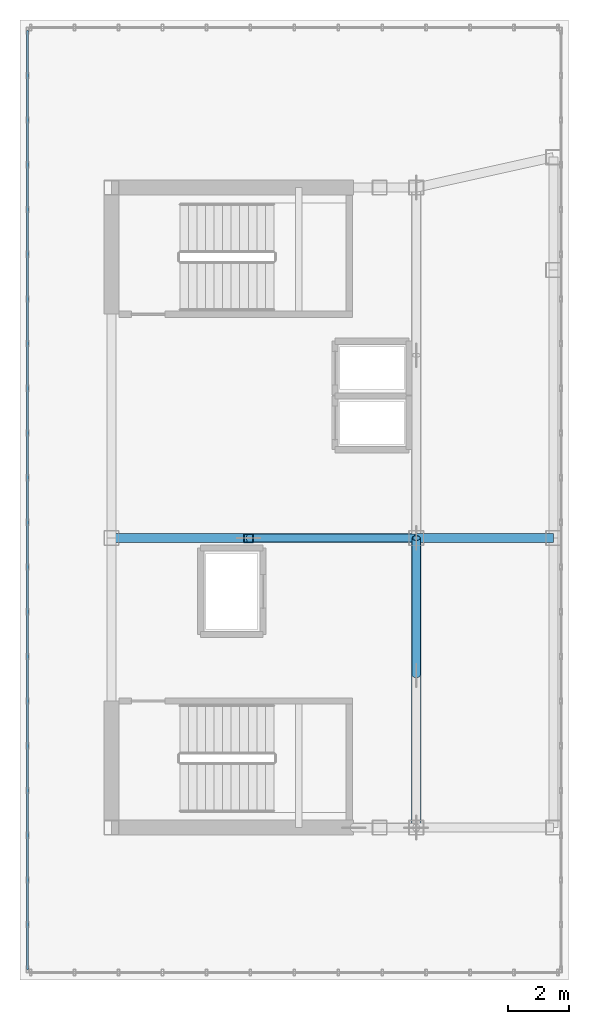
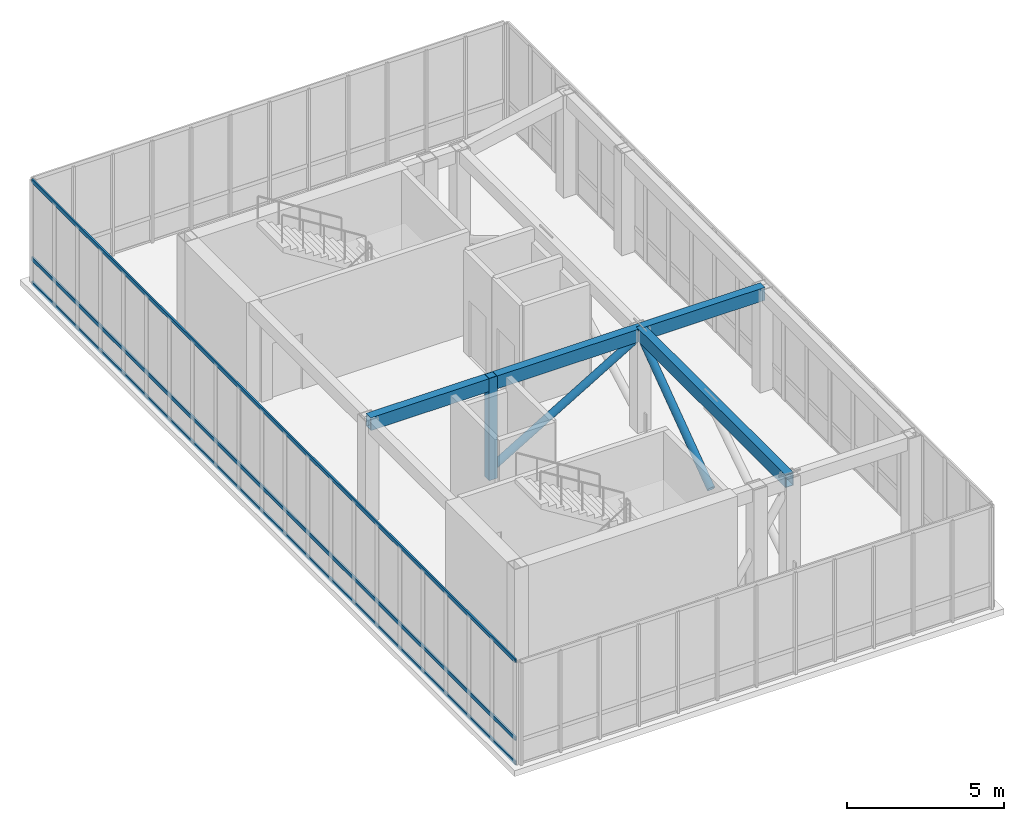
# One storey, part 5 of 13: 6 members, 3 beams, 1 element without a shape of its own.
"""IFC4 building model written with IfcOpenShell, lengths in metres."""

from ifc_helpers import new_model, si_unit, direction, frame, origin, origin_2d, place, context, subcontext, project, spatial, hollow_rectangle, hollow_circle, extrude, source, transform, mapped, material, layer, layer_set, material_profile, profile_set, type_object, element, aggregate, save


model = new_model("IFC4")

# Units and contexts
model_context = context("Model", 3, precision=1e-05, world=origin(), true_north=direction((0.0, 1.0)))
body_context = subcontext(model_context, "Body", "Model", "MODEL_VIEW")
ifc_project = project(units=[si_unit("LENGTHUNIT", "METRE"), si_unit("AREAUNIT", "SQUARE_METRE"), si_unit("VOLUMEUNIT", "CUBIC_METRE"), si_unit("PLANEANGLEUNIT", "RADIAN"), si_unit("MASSUNIT", "GRAM", prefix="KILO")], contexts=[model_context])

# Site, building, storey
site_placement = place(None, origin())
site = spatial("IfcSite", under=ifc_project, at=site_placement, CompositionType="ELEMENT")
building_placement = place(site_placement, origin())
building = spatial("IfcBuilding", under=site, at=building_placement, Name="Kharzan Plaza Tower", CompositionType="ELEMENT")
storey_placement = place(building_placement, frame((0.0, 0.0, 285.60009765625)))
storey = spatial("IfcBuildingStorey", under=building, at=storey_placement, Name="L77-CROWN", CompositionType="ELEMENT", Elevation=285.60009765625)

# Beams
ifc_material_1 = material(Name="Steel S355", Category="steel")
ifc_material_profile_1 = material_profile(ifc_material_1, hollow_rectangle(XDim=0.300048828125, YDim=0.5, WallThickness=0.02001953125, at=origin_2d()), Name="RHS500x300x20")
ifc_profile_set_1 = profile_set([ifc_material_profile_1], Name="Steel S355")
beam_type = type_object("IfcBeamType", Name="BM-CRN500", PredefinedType="BEAM", material=ifc_profile_set_1)
shared_shape_1 = source(origin(), body_context, "Body", "SweptSolid", [
    extrude(hollow_rectangle(XDim=0.300048828125, YDim=0.5, WallThickness=0.02001953125, at=origin_2d()), origin(), (0.0, 0.0, 1.0), 9.5),
])
beam_1_placement = place(storey_placement, frame((14.5, 8.5, 3.719970703125), z_axis=(0.0, 1.0, 0.0), x_axis=(-1.0, 0.0, 0.0)))
element("IfcBeam", 1, at=beam_1_placement, inside=storey, type_object=beam_type, Name="L77-CROWN CROWN FRAME Lantern Ring Beam CRB-M1", PredefinedType="BEAM", context=body_context, shape_type="MappedRepresentation", body=[
    mapped(shared_shape_1, transform((0.0, 0.0, 0.0), x_axis=(1.0, 0.0, 0.0), y_axis=(0.0, 1.0, 0.0), z_axis=(0.0, 0.0, 1.0))),
])
shared_shape_2 = source(origin(), body_context, "Body", "SweptSolid", [
    extrude(hollow_rectangle(XDim=0.300048828125, YDim=0.5, WallThickness=0.02001953125, at=origin_2d()), origin(), (0.0, 0.0, 1.0), 10.0),
])
beam_2_placement = place(storey_placement, frame((4.5, 18.0, 3.719970703125), z_axis=(1.0, 0.0, 0.0), x_axis=(0.0, 1.0, 0.0)))
element("IfcBeam", 2, at=beam_2_placement, inside=storey, type_object=beam_type, Name="L77-CROWN CROWN FRAME Lantern Ring Beam CRB-I1", PredefinedType="BEAM", context=body_context, shape_type="MappedRepresentation", body=[
    mapped(shared_shape_2, transform((0.0, 0.0, 0.0), x_axis=(1.0, 0.0, 0.0), y_axis=(0.0, 1.0, 0.0), z_axis=(0.0, 0.0, 1.0))),
])
shared_shape_3 = source(origin(), body_context, "Body", "SweptSolid", [
    extrude(hollow_rectangle(XDim=0.300048828125, YDim=0.5, WallThickness=0.02001953125, at=origin_2d()), origin(), (0.0, 0.0, 1.0), 4.5),
])
beam_3_placement = place(storey_placement, frame((14.5, 18.0, 3.719970703125), z_axis=(1.0, 0.0, 0.0), x_axis=(0.0, 1.0, 0.0)))
element("IfcBeam", 3, at=beam_3_placement, inside=storey, type_object=beam_type, Name="L77-CROWN CROWN FRAME Lantern Ring Beam CRB-I2", PredefinedType="BEAM", context=body_context, shape_type="MappedRepresentation", body=[
    mapped(shared_shape_3, transform((0.0, 0.0, 0.0), x_axis=(1.0, 0.0, 0.0), y_axis=(0.0, 1.0, 0.0), z_axis=(0.0, 0.0, 1.0))),
])

# Members
ifc_material_profile_2 = material_profile(ifc_material_1, hollow_circle(Radius=0.136474609375, WallThickness=0.010009765625, at=origin_2d()), Name="CHS273x10")
ifc_profile_set_2 = profile_set([ifc_material_profile_2], Name="Steel S355")
member_type_1 = type_object("IfcMemberType", Name="MEM-CRN-DIAG", PredefinedType="BRACE", material=ifc_profile_set_2)
shared_shape_4 = source(origin(), body_context, "Body", "SweptSolid", [
    extrude(hollow_circle(Radius=0.136474609375, WallThickness=0.010009765625, at=origin_2d()), origin(), (0.0, 0.0, 1.0), 6.398681640625),
])
member_1_placement = place(storey_placement, frame((9.0, 18.0, 0.349853515625), z_axis=(0.859553101499, 0.0, 0.511046441827), x_axis=(0.0, 1.0, 0.0)))
element("IfcMember", 4, at=member_1_placement, inside=storey, type_object=member_type_1, Name="L77-CROWN CROWN FRAME Diagonal Wind Brace CRD-W1", PredefinedType="BRACE", context=body_context, shape_type="MappedRepresentation", body=[
    mapped(shared_shape_4, transform((0.0, 0.0, 0.0), x_axis=(1.0, 0.0, 0.0), y_axis=(0.0, 1.0, 0.0), z_axis=(0.0, 0.0, 1.0))),
])
shared_shape_5 = source(origin(), body_context, "Body", "SweptSolid", [
    extrude(hollow_circle(Radius=0.136474609375, WallThickness=0.010009765625, at=origin_2d()), origin(), (0.0, 0.0, 1.0), 5.562744140625),
])
member_2_placement = place(storey_placement, frame((14.5, 13.5, 0.349853515625), z_axis=(0.0, 0.808967567345, 0.587853276748), x_axis=(-1.0, 0.0, 0.0)))
element("IfcMember", 5, at=member_2_placement, inside=storey, type_object=member_type_1, Name="L77-CROWN CROWN FRAME Diagonal Wind Brace CRD-S2", PredefinedType="BRACE", context=body_context, shape_type="MappedRepresentation", body=[
    mapped(shared_shape_5, transform((0.0, 0.0, 0.0), x_axis=(1.0, 0.0, 0.0), y_axis=(0.0, 1.0, 0.0), z_axis=(0.0, 0.0, 1.0))),
])
ifc_material_profile_3 = material_profile(ifc_material_1, hollow_rectangle(XDim=0.300048828125, YDim=0.300048828125, WallThickness=0.01611328125, at=origin_2d()), Name="SHS300x300x16")
ifc_profile_set_3 = profile_set([ifc_material_profile_3], Name="Steel S355")
member_type_2 = type_object("IfcMemberType", Name="MEM-CRN-POST", PredefinedType="POST", material=ifc_profile_set_3)
shared_shape_6 = source(origin(), body_context, "Body", "SweptSolid", [
    extrude(hollow_rectangle(XDim=0.300048828125, YDim=0.300048828125, WallThickness=0.01611328125, at=origin_2d()), origin(), (0.0, 0.0, 1.0), 3.969970703125),
])
member_3_placement = place(storey_placement, frame((9.0, 18.0, 0.0), z_axis=(0.0, 0.0, 1.0), x_axis=(1.0, 0.0, 0.0)))
element("IfcMember", 6, at=member_3_placement, inside=storey, type_object=member_type_2, Name="L77-CROWN CROWN FRAME Lantern Post 1", PredefinedType="POST", context=body_context, shape_type="MappedRepresentation", body=[
    mapped(shared_shape_6, transform((0.0, 0.0, 0.0), x_axis=(1.0, 0.0, 0.0), y_axis=(0.0, 1.0, 0.0), z_axis=(0.0, 0.0, 1.0))),
])

# Curtain wall, members
ifc_material_2 = material(Name="Unitised Bronze-Anodized Aluminium and Low-E Glass", Category="aluminium")
ifc_layer = layer(ifc_material_2, 0.199951171875)
ifc_layer_set = layer_set([ifc_layer], Name="Unitised Bronze-Anodized Aluminium and Low-E Glass")
curtain_wall_type = type_object("IfcCurtainWallType", Name="CW-LANTERN-6", PredefinedType="NOTDEFINED", material=ifc_layer_set)
curtain_wall_placement = place(storey_placement, origin())
curtain_wall = element("IfcCurtainWall", 7, at=curtain_wall_placement, inside=storey, type_object=curtain_wall_type, Name="L77-CROWN Lantern Crown Illuminated Curtain Wall 4", PredefinedType="NOTDEFINED")
ifc_material_3 = material(Name="Anodized Bronze Aluminium", Category="aluminium")
ifc_material_profile_4 = material_profile(ifc_material_3, hollow_rectangle(XDim=0.06005859375, YDim=0.14990234375, WallThickness=0.00341796875, at=origin_2d()), Name="ALU-T150x60x3.5")
ifc_profile_set_4 = profile_set([ifc_material_profile_4], Name="Anodized Bronze Aluminium")
member_type_3 = type_object("IfcMemberType", Name="MEM-CW-TRN150", PredefinedType="USERDEFINED", material=ifc_profile_set_4)
shared_shape_7 = source(origin(), body_context, "Body", "SweptSolid", [
    extrude(hollow_rectangle(XDim=0.06005859375, YDim=0.14990234375, WallThickness=0.00341796875, at=origin_2d()), origin(), (0.0, 0.0, 1.0), 30.7998046875),
])
member_4_placement = place(storey_placement, frame((1.75, 34.64990234375, 0.0), z_axis=(0.0, -1.0, 0.0), x_axis=(1.0, 0.0, 0.0)))
member_4 = element("IfcMember", 8, at=member_4_placement, type_object=member_type_3, Name="L77-CROWN Curtain-Wall Transom 1", ObjectType="TRANSOM", PredefinedType="USERDEFINED", context=body_context, shape_type="MappedRepresentation", body=[
    mapped(shared_shape_7, transform((0.0, 0.0, 0.0), x_axis=(1.0, 0.0, 0.0), y_axis=(0.0, 1.0, 0.0), z_axis=(0.0, 0.0, 1.0))),
])
member_5_placement = place(storey_placement, frame((1.75, 34.64990234375, 0.949951171875), z_axis=(0.0, -1.0, 0.0), x_axis=(1.0, 0.0, 0.0)))
member_5 = element("IfcMember", 9, at=member_5_placement, type_object=member_type_3, Name="L77-CROWN Curtain-Wall Transom 2", ObjectType="TRANSOM", PredefinedType="USERDEFINED", context=body_context, shape_type="MappedRepresentation", body=[
    mapped(shared_shape_7, transform((0.0, 0.0, 0.0), x_axis=(1.0, 0.0, 0.0), y_axis=(0.0, 1.0, 0.0), z_axis=(0.0, 0.0, 1.0))),
])
member_6_placement = place(storey_placement, frame((1.75, 34.64990234375, 3.969970703125), z_axis=(0.0, -1.0, 0.0), x_axis=(1.0, 0.0, 0.0)))
member_6 = element("IfcMember", 10, at=member_6_placement, type_object=member_type_3, Name="L77-CROWN Curtain-Wall Transom 3", ObjectType="TRANSOM", PredefinedType="USERDEFINED", context=body_context, shape_type="MappedRepresentation", body=[
    mapped(shared_shape_7, transform((0.0, 0.0, 0.0), x_axis=(1.0, 0.0, 0.0), y_axis=(0.0, 1.0, 0.0), z_axis=(0.0, 0.0, 1.0))),
])
aggregate(curtain_wall, [member_4, member_5, member_6])

save(model, "model.ifc")
